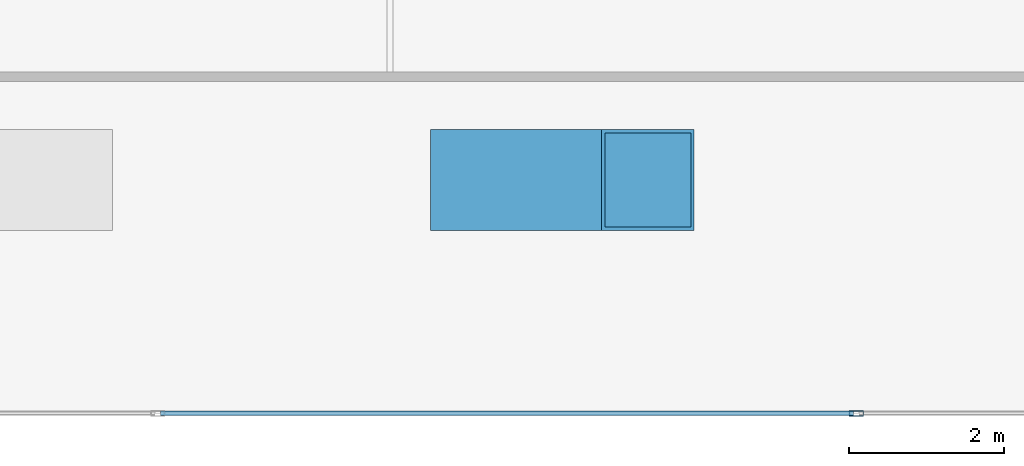
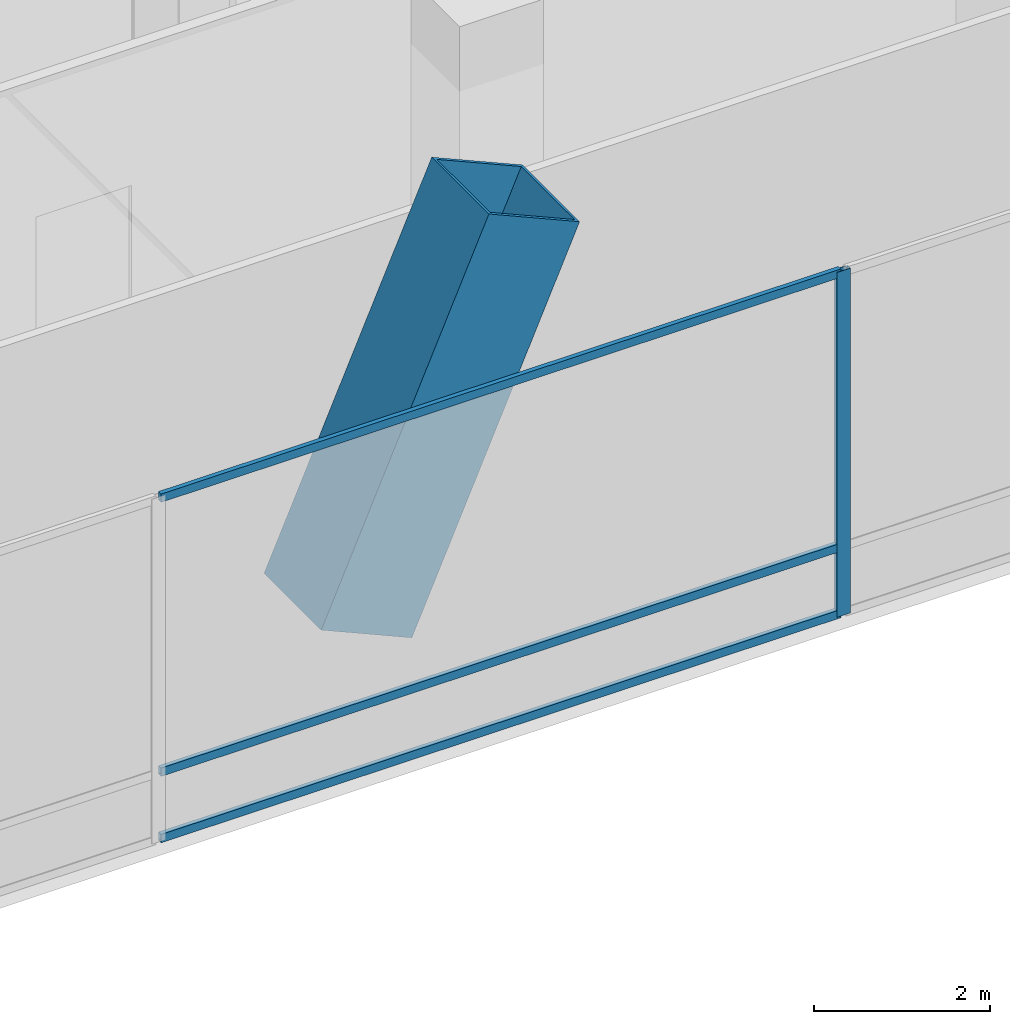
# One storey, part 7 of 42: 5 members, 1 element without a shape of its own.
"""IFC4 building model written with IfcOpenShell, lengths in metres."""

from ifc_helpers import new_model, si_unit, direction, frame, origin, origin_2d, place, context, subcontext, project, spatial, hollow_rectangle, extrude, material, layer, layer_set, material_profile, profile_set, type_object, element, aggregate, save


model = new_model("IFC4")

# Units and contexts
model_context = context("Model", 3, precision=1e-05, world=origin(), true_north=direction((0.0, 1.0)))
body_context = subcontext(model_context, "Body", "Model", "MODEL_VIEW")
ifc_project = project(units=[si_unit("LENGTHUNIT", "METRE"), si_unit("AREAUNIT", "SQUARE_METRE"), si_unit("VOLUMEUNIT", "CUBIC_METRE"), si_unit("PLANEANGLEUNIT", "RADIAN"), si_unit("MASSUNIT", "GRAM", prefix="KILO")], contexts=[model_context])

# Site, building, storey
site_placement = place(None, origin())
site = spatial("IfcSite", under=ifc_project, at=site_placement, CompositionType="ELEMENT")
building_placement = place(site_placement, origin())
building = spatial("IfcBuilding", under=site, at=building_placement, Name="Qianvela Tower", CompositionType="ELEMENT")
storey_placement = place(building_placement, frame((0.0, 0.0, 6.0)))
storey = spatial("IfcBuildingStorey", under=building, at=storey_placement, Name="L01", CompositionType="ELEMENT", Elevation=6.0)

# Curtain wall, members
ifc_material_1 = material(Name="Anodised Architectural Aluminium and Low-E Glass", Category="aluminium")
ifc_layer = layer(ifc_material_1, 0.179931640625)
ifc_layer_set = layer_set([ifc_layer], Name="Anodised Architectural Aluminium and Low-E Glass")
curtain_wall_type = type_object("IfcCurtainWallType", Name="CW-COMMONS", PredefinedType="USERDEFINED", material=ifc_layer_set)
curtain_wall_placement = place(storey_placement, origin())
curtain_wall = element("IfcCurtainWall", 1, at=curtain_wall_placement, inside=storey, type_object=curtain_wall_type, Name="L01 CW-COMMONS Curtain Wall 01", ObjectType="CURTAIN_WALL_SYSTEM", PredefinedType="USERDEFINED")
ifc_material_2 = material(Name="Anodised Architectural Aluminium 6063-T6", Category="aluminium")
ifc_material_profile_1 = material_profile(ifc_material_2, hollow_rectangle(XDim=0.070068359375, YDim=0.179931640625, WallThickness=0.0048828125, at=origin_2d()), Name="ALU-MULL-70x180")
ifc_profile_set_1 = profile_set([ifc_material_profile_1], Name="Anodised Architectural Aluminium 6063-T6")
member_type_1 = type_object("IfcMemberType", Name="CW-COMMONS-MULL", PredefinedType="MULLION", material=ifc_profile_set_1)
member_1_placement = place(storey_placement, frame((24.021484375, 1.5, 0.0), z_axis=(0.0, 0.0, 1.0), x_axis=(0.0, 1.0, 0.0)))
member_1 = element("IfcMember", 2, at=member_1_placement, type_object=member_type_1, Name="CW-2 mullion 3", PredefinedType="MULLION", context=body_context, shape_type="SweptSolid", body=[
    extrude(hollow_rectangle(XDim=0.070068359375, YDim=0.179931640625, WallThickness=0.0048828125, at=origin_2d()), origin(), (0.0, 0.0, 1.0), 4.780029296875),
])
ifc_material_3 = material(Name="Anodised Architectural Aluminium 6063-T6", Category="aluminium")
ifc_material_profile_2 = material_profile(ifc_material_3, hollow_rectangle(XDim=0.06005859375, YDim=0.114990234375, WallThickness=0.00390625, at=origin_2d()), Name="ALU-TRAN-60x115")
ifc_profile_set_2 = profile_set([ifc_material_profile_2], Name="Anodised Architectural Aluminium 6063-T6")
member_type_2 = type_object("IfcMemberType", Name="CW-COMMONS-TRAN", PredefinedType="USERDEFINED", material=ifc_profile_set_2)
member_2_placement = place(storey_placement, frame((15.07080078125, 1.5, 0.030029296875), z_axis=(1.0, 0.0, 0.0), x_axis=(0.0, 1.0, 0.0)))
member_2 = element("IfcMember", 3, at=member_2_placement, type_object=member_type_2, Name="CW-2 transom 2.1", ObjectType="TRANSOM", PredefinedType="USERDEFINED", context=body_context, shape_type="SweptSolid", body=[
    extrude(hollow_rectangle(XDim=0.06005859375, YDim=0.114990234375, WallThickness=0.00390625, at=origin_2d()), origin(), (0.0, 0.0, 1.0), 8.91552734375),
])
member_3_placement = place(storey_placement, frame((15.07080078125, 1.5, 0.949951171875), z_axis=(1.0, 0.0, 0.0), x_axis=(0.0, 1.0, 0.0)))
member_3 = element("IfcMember", 4, at=member_3_placement, type_object=member_type_2, Name="CW-2 transom 2.2", ObjectType="TRANSOM", PredefinedType="USERDEFINED", context=body_context, shape_type="SweptSolid", body=[
    extrude(hollow_rectangle(XDim=0.06005859375, YDim=0.114990234375, WallThickness=0.00390625, at=origin_2d()), origin(), (0.0, 0.0, 1.0), 8.91552734375),
])
member_4_placement = place(storey_placement, frame((15.07080078125, 1.5, 4.75), z_axis=(1.0, 0.0, 0.0), x_axis=(0.0, 1.0, 0.0)))
member_4 = element("IfcMember", 5, at=member_4_placement, type_object=member_type_2, Name="CW-2 transom 2.3", ObjectType="TRANSOM", PredefinedType="USERDEFINED", context=body_context, shape_type="SweptSolid", body=[
    extrude(hollow_rectangle(XDim=0.06005859375, YDim=0.114990234375, WallThickness=0.00390625, at=origin_2d()), origin(), (0.0, 0.0, 1.0), 8.91552734375),
])
aggregate(curtain_wall, [member_1, member_2, member_3, member_4])

# Member
ifc_material_4 = material(Name="Steel Q420GJC", Category="steel")
ifc_material_profile_3 = material_profile(ifc_material_4, hollow_rectangle(XDim=1.300048828125, YDim=1.300048828125, WallThickness=0.044921875, at=origin_2d()), Name="VBOX-1300x1300x45")
ifc_profile_set_3 = profile_set([ifc_material_profile_3], Name="Steel Q420GJC")
member_type_3 = type_object("IfcMemberType", Name="MBR-VCOL-1300", PredefinedType="POST", material=ifc_profile_set_3)
member_5_placement = place(storey_placement, frame((19.139404296875, 4.5, 0.0), z_axis=(0.402618783225, 0.0, 0.915367748719), x_axis=(0.0, 1.0, 0.0)))
element("IfcMember", 6, at=member_5_placement, inside=storey, type_object=member_type_3, Name="L01 Concourse Inclined V-Column VC-S1 Leg R", PredefinedType="POST", context=body_context, shape_type="SweptSolid", body=[
    extrude(hollow_rectangle(XDim=1.300048828125, YDim=1.300048828125, WallThickness=0.044921875, at=origin_2d()), origin(), (0.0, 0.0, 1.0), 5.46240234375),
])

save(model, "model.ifc")
